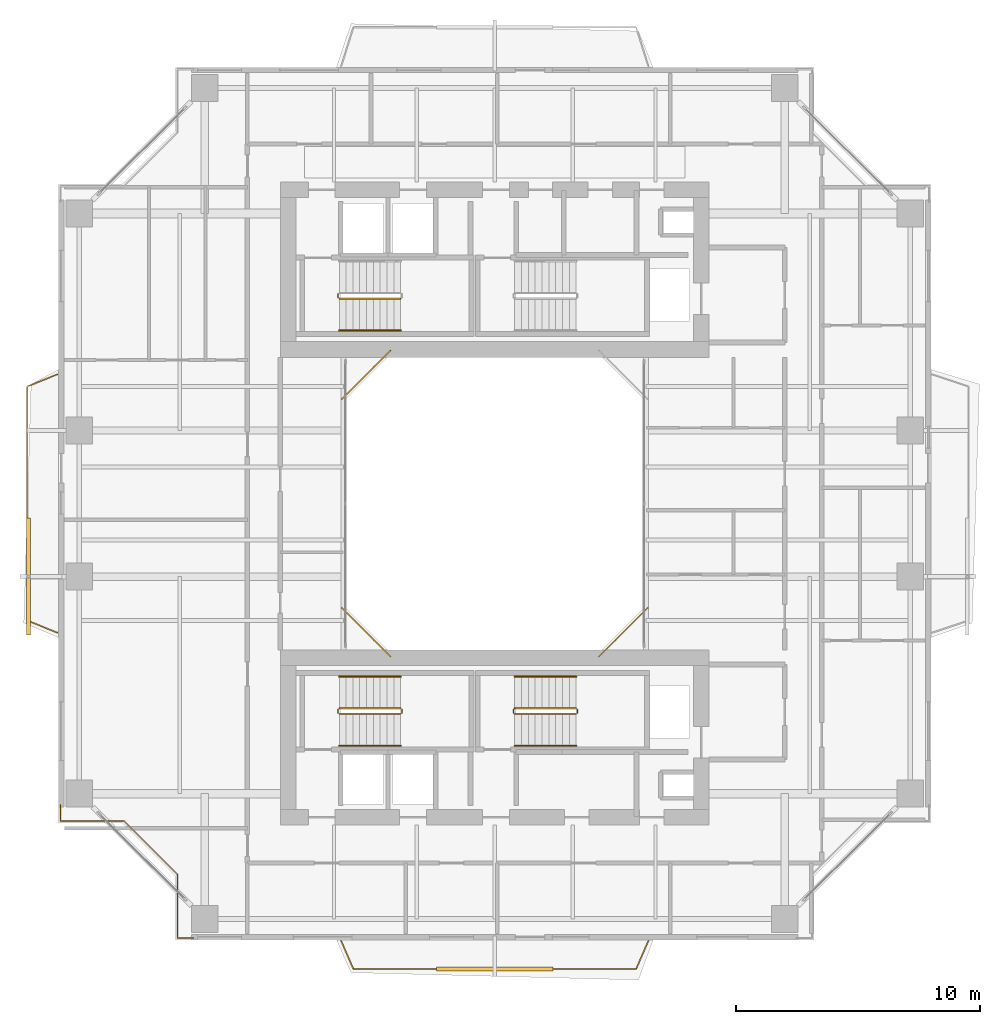
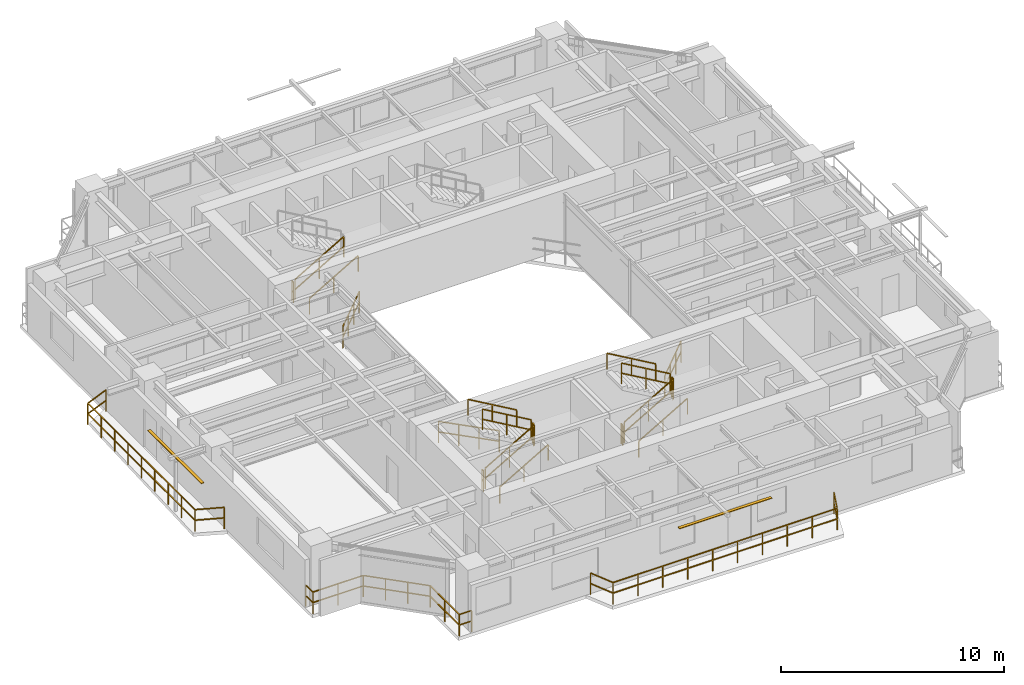
# One storey, part 15 of 17: 21 railings, 2 shading devices.
"""IFC4 building model written with IfcOpenShell, lengths in metres."""

from ifc_helpers import new_model, si_unit, direction, frame, origin, origin_2d, place, context, subcontext, project, spatial, rectangle, extrude, source, transform, mapped, material, material_profile, profile_set, type_object, element, save


model = new_model("IFC4")

# Units and contexts
model_context = context("Model", 3, precision=1e-05, world=origin(), true_north=direction((0.0, 1.0)))
body_context = subcontext(model_context, "Body", "Model", "MODEL_VIEW")
ifc_project = project(units=[si_unit("LENGTHUNIT", "METRE"), si_unit("AREAUNIT", "SQUARE_METRE"), si_unit("VOLUMEUNIT", "CUBIC_METRE"), si_unit("PLANEANGLEUNIT", "RADIAN"), si_unit("MASSUNIT", "GRAM", prefix="KILO"), si_unit("THERMODYNAMICTEMPERATUREUNIT", "KELVIN"), si_unit("POWERUNIT", "WATT")], contexts=[model_context])

# Site, building, storey
site_placement = place(None, origin())
site = spatial("IfcSite", under=ifc_project, at=site_placement, CompositionType="ELEMENT")
building_placement = place(site_placement, origin())
building = spatial("IfcBuilding", under=site, at=building_placement, Name="Qiaomeng Ring Towers", CompositionType="ELEMENT")
storey_placement = place(building_placement, frame((0.0, 0.0, 116.5)))
storey = spatial("IfcBuildingStorey", under=building, at=storey_placement, Name="L33", CompositionType="ELEMENT", Elevation=116.5)

# Railings
ifc_material_1 = material(Name="Low-E pale-green laminated safety glass", Category="glass")
railing_type_1 = type_object("IfcRailingType", Name="ARC-RL-BAL1", PredefinedType="BALUSTRADE", material=ifc_material_1)
railing_1_placement = place(storey_placement, frame((23.280029296875, 16.719970703125, 0.0)))
element("IfcRailing", 1, at=railing_1_placement, inside=storey, type_object=railing_type_1, Name="L33 Balustrade ARC-BAL-WELL1-L33-1", PredefinedType="BALUSTRADE", context=body_context, shape_type="SweptSolid", body=[
    extrude(rectangle(XDim=0.048095703125, YDim=0.048095703125, at=origin_2d()), frame((0.0, 0.0, 1.17578125), z_axis=(0.707106781187, 0.707106781187, 0.0), x_axis=(-0.707106781187, 0.707106781187, 0.0)), (0.0, 0.0, 1.0), 2.828369140625),
    extrude(rectangle(XDim=0.048095703125, YDim=0.048095703125, at=origin_2d()), frame((0.0, 0.0, 0.60009765625), z_axis=(0.707106781187, 0.707106781187, 0.0), x_axis=(-0.707106781187, 0.707106781187, 0.0)), (0.0, 0.0, 1.0), 2.828369140625),
    extrude(rectangle(XDim=0.0419921875, YDim=0.0419921875, at=origin_2d()), origin(), (0.0, 0.0, 1.0), 1.15185546875),
    extrude(rectangle(XDim=0.0419921875, YDim=0.0419921875, at=origin_2d()), frame((0.666748046875, 0.666748046875, 0.0)), (0.0, 0.0, 1.0), 1.15185546875),
    extrude(rectangle(XDim=0.0419921875, YDim=0.0419921875, at=origin_2d()), frame((1.333251953125, 1.333251953125, 0.0)), (0.0, 0.0, 1.0), 1.15185546875),
    extrude(rectangle(XDim=0.0419921875, YDim=0.0419921875, at=origin_2d()), frame((2.0, 2.0, 0.0)), (0.0, 0.0, 1.0), 1.15185546875),
])
railing_2_placement = place(storey_placement, frame((14.719970703125, 29.280029296875, 0.0)))
element("IfcRailing", 2, at=railing_2_placement, inside=storey, type_object=railing_type_1, Name="L33 Balustrade ARC-BAL-WELL1-L33-3", PredefinedType="BALUSTRADE", context=body_context, shape_type="SweptSolid", body=[
    extrude(rectangle(XDim=0.048095703125, YDim=0.048095703125, at=origin_2d()), frame((0.0, 0.0, 1.17578125), z_axis=(-0.707106781187, -0.707106781187, 0.0), x_axis=(0.707106781187, -0.707106781187, 0.0)), (0.0, 0.0, 1.0), 2.828369140625),
    extrude(rectangle(XDim=0.048095703125, YDim=0.048095703125, at=origin_2d()), frame((0.0, 0.0, 0.60009765625), z_axis=(-0.707106781187, -0.707106781187, 0.0), x_axis=(0.707106781187, -0.707106781187, 0.0)), (0.0, 0.0, 1.0), 2.828369140625),
    extrude(rectangle(XDim=0.0419921875, YDim=0.0419921875, at=origin_2d()), origin(), (0.0, 0.0, 1.0), 1.15185546875),
    extrude(rectangle(XDim=0.0419921875, YDim=0.0419921875, at=origin_2d()), frame((-0.666748046875, -0.666748046875, 0.0)), (0.0, 0.0, 1.0), 1.15185546875),
    extrude(rectangle(XDim=0.0419921875, YDim=0.0419921875, at=origin_2d()), frame((-1.333251953125, -1.333251953125, 0.0)), (0.0, 0.0, 1.0), 1.15185546875),
    extrude(rectangle(XDim=0.0419921875, YDim=0.0419921875, at=origin_2d()), frame((-2.0, -2.0, 0.0)), (0.0, 0.0, 1.0), 1.15185546875),
])
railing_3_placement = place(storey_placement, frame((12.719970703125, 18.719970703125, 0.0)))
element("IfcRailing", 3, at=railing_3_placement, inside=storey, type_object=railing_type_1, Name="L33 Balustrade ARC-BAL-WELL1-L33-4", PredefinedType="BALUSTRADE", context=body_context, shape_type="SweptSolid", body=[
    extrude(rectangle(XDim=0.048095703125, YDim=0.048095703125, at=origin_2d()), frame((0.0, 0.0, 1.17578125), z_axis=(0.707106781187, -0.707106781187, 0.0), x_axis=(0.707106781187, 0.707106781187, 0.0)), (0.0, 0.0, 1.0), 2.828369140625),
    extrude(rectangle(XDim=0.048095703125, YDim=0.048095703125, at=origin_2d()), frame((0.0, 0.0, 0.60009765625), z_axis=(0.707106781187, -0.707106781187, 0.0), x_axis=(0.707106781187, 0.707106781187, 0.0)), (0.0, 0.0, 1.0), 2.828369140625),
    extrude(rectangle(XDim=0.0419921875, YDim=0.0419921875, at=origin_2d()), origin(), (0.0, 0.0, 1.0), 1.15185546875),
    extrude(rectangle(XDim=0.0419921875, YDim=0.0419921875, at=origin_2d()), frame((0.666748046875, -0.666748046875, 0.0)), (0.0, 0.0, 1.0), 1.15185546875),
    extrude(rectangle(XDim=0.0419921875, YDim=0.0419921875, at=origin_2d()), frame((1.333251953125, -1.333251953125, 0.0)), (0.0, 0.0, 1.0), 1.15185546875),
    extrude(rectangle(XDim=0.0419921875, YDim=0.0419921875, at=origin_2d()), frame((2.0, -2.0, 0.0)), (0.0, 0.0, 1.0), 1.15185546875),
])
railing_4_placement = place(storey_placement, frame((1.179931640625, 10.6298828125, 0.0)))
element("IfcRailing", 4, at=railing_4_placement, inside=storey, type_object=railing_type_1, Name="L33 Balustrade ARC-BAL-NOTCH1-L33-SW", PredefinedType="BALUSTRADE", context=body_context, shape_type="SweptSolid", body=[
    extrude(rectangle(XDim=0.048095703125, YDim=0.048095703125, at=origin_2d()), frame((0.0, 0.0, 1.17578125), z_axis=(0.0, -1.0, 0.0), x_axis=(1.0, 0.0, 0.0)), (0.0, 0.0, 1.0), 0.64990234375),
    extrude(rectangle(XDim=0.048095703125, YDim=0.048095703125, at=origin_2d()), frame((0.0, 0.0, 0.60009765625), z_axis=(0.0, -1.0, 0.0), x_axis=(1.0, 0.0, 0.0)), (0.0, 0.0, 1.0), 0.64990234375),
    extrude(rectangle(XDim=0.048095703125, YDim=0.048095703125, at=origin_2d()), frame((0.0, -0.64990234375, 1.17578125), z_axis=(1.0, 0.0, 0.0), x_axis=(0.0, 1.0, 0.0)), (0.0, 0.0, 1.0), 2.60009765625),
    extrude(rectangle(XDim=0.048095703125, YDim=0.048095703125, at=origin_2d()), frame((0.0, -0.64990234375, 0.60009765625), z_axis=(1.0, 0.0, 0.0), x_axis=(0.0, 1.0, 0.0)), (0.0, 0.0, 1.0), 2.60009765625),
    extrude(rectangle(XDim=0.048095703125, YDim=0.048095703125, at=origin_2d()), frame((2.60009765625, -0.64990234375, 1.17578125), z_axis=(0.707106781187, -0.707106781187, 0.0), x_axis=(0.707106781187, 0.707106781187, 0.0)), (0.0, 0.0, 1.0), 3.111083984375),
    extrude(rectangle(XDim=0.048095703125, YDim=0.048095703125, at=origin_2d()), frame((2.60009765625, -0.64990234375, 0.60009765625), z_axis=(0.707106781187, -0.707106781187, 0.0), x_axis=(0.707106781187, 0.707106781187, 0.0)), (0.0, 0.0, 1.0), 3.111083984375),
    extrude(rectangle(XDim=0.048095703125, YDim=0.048095703125, at=origin_2d()), frame((4.800048828125, -2.849853515625, 1.17578125), z_axis=(0.0, -1.0, 0.0), x_axis=(1.0, 0.0, 0.0)), (0.0, 0.0, 1.0), 2.60009765625),
    extrude(rectangle(XDim=0.048095703125, YDim=0.048095703125, at=origin_2d()), frame((4.800048828125, -2.849853515625, 0.60009765625), z_axis=(0.0, -1.0, 0.0), x_axis=(1.0, 0.0, 0.0)), (0.0, 0.0, 1.0), 2.60009765625),
    extrude(rectangle(XDim=0.048095703125, YDim=0.048095703125, at=origin_2d()), frame((4.800048828125, -5.449951171875, 1.17578125), z_axis=(1.0, 0.0, 0.0), x_axis=(0.0, 1.0, 0.0)), (0.0, 0.0, 1.0), 0.64990234375),
    extrude(rectangle(XDim=0.048095703125, YDim=0.048095703125, at=origin_2d()), frame((4.800048828125, -5.449951171875, 0.60009765625), z_axis=(1.0, 0.0, 0.0), x_axis=(0.0, 1.0, 0.0)), (0.0, 0.0, 1.0), 0.64990234375),
    extrude(rectangle(XDim=0.0419921875, YDim=0.0419921875, at=origin_2d()), origin(), (0.0, 0.0, 1.0), 1.15185546875),
    extrude(rectangle(XDim=0.0419921875, YDim=0.0419921875, at=origin_2d()), frame((0.0, -0.64990234375, 0.0)), (0.0, 0.0, 1.0), 1.15185546875),
    extrude(rectangle(XDim=0.0419921875, YDim=0.0419921875, at=origin_2d()), frame((1.300048828125, -0.64990234375, 0.0)), (0.0, 0.0, 1.0), 1.15185546875),
    extrude(rectangle(XDim=0.0419921875, YDim=0.0419921875, at=origin_2d()), frame((2.60009765625, -0.64990234375, 0.0)), (0.0, 0.0, 1.0), 1.15185546875),
    extrude(rectangle(XDim=0.0419921875, YDim=0.0419921875, at=origin_2d()), frame((3.33349609375, -1.38330078125, 0.0)), (0.0, 0.0, 1.0), 1.15185546875),
    extrude(rectangle(XDim=0.0419921875, YDim=0.0419921875, at=origin_2d()), frame((4.066650390625, -2.116455078125, 0.0)), (0.0, 0.0, 1.0), 1.15185546875),
    extrude(rectangle(XDim=0.0419921875, YDim=0.0419921875, at=origin_2d()), frame((4.800048828125, -2.849853515625, 0.0)), (0.0, 0.0, 1.0), 1.15185546875),
    extrude(rectangle(XDim=0.0419921875, YDim=0.0419921875, at=origin_2d()), frame((4.800048828125, -4.14990234375, 0.0)), (0.0, 0.0, 1.0), 1.15185546875),
    extrude(rectangle(XDim=0.0419921875, YDim=0.0419921875, at=origin_2d()), frame((4.800048828125, -5.449951171875, 0.0)), (0.0, 0.0, 1.0), 1.15185546875),
    extrude(rectangle(XDim=0.0419921875, YDim=0.0419921875, at=origin_2d()), frame((5.449951171875, -5.449951171875, 0.0)), (0.0, 0.0, 1.0), 1.15185546875),
])
railing_5_placement = place(storey_placement, frame((12.699951171875, 5.050048828125, 0.0)))
element("IfcRailing", 5, at=railing_5_placement, inside=storey, type_object=railing_type_1, Name="L33 Balustrade ARC-BAL-L33-T1-S", PredefinedType="BALUSTRADE", context=body_context, shape_type="SweptSolid", body=[
    extrude(rectangle(XDim=0.048095703125, YDim=0.048095703125, at=origin_2d()), frame((0.0, 0.0, 1.17578125), z_axis=(0.39868340127, -0.917088624699, 0.0), x_axis=(0.917088624699, 0.39868340127, 0.0)), (0.0, 0.0, 1.0), 1.254150390625),
    extrude(rectangle(XDim=0.048095703125, YDim=0.048095703125, at=origin_2d()), frame((0.0, 0.0, 0.60009765625), z_axis=(0.39868340127, -0.917088624699, 0.0), x_axis=(0.917088624699, 0.39868340127, 0.0)), (0.0, 0.0, 1.0), 1.254150390625),
    extrude(rectangle(XDim=0.048095703125, YDim=0.048095703125, at=origin_2d()), frame((0.5, -1.150146484375, 1.17578125), z_axis=(1.0, 0.0, 0.0), x_axis=(0.0, 1.0, 0.0)), (0.0, 0.0, 1.0), 11.60009765625),
    extrude(rectangle(XDim=0.048095703125, YDim=0.048095703125, at=origin_2d()), frame((0.5, -1.150146484375, 0.60009765625), z_axis=(1.0, 0.0, 0.0), x_axis=(0.0, 1.0, 0.0)), (0.0, 0.0, 1.0), 11.60009765625),
    extrude(rectangle(XDim=0.048095703125, YDim=0.048095703125, at=origin_2d()), frame((12.10009765625, -1.150146484375, 1.17578125), z_axis=(0.39868340127, 0.917088624699, 0.0), x_axis=(-0.917088624699, 0.39868340127, 0.0)), (0.0, 0.0, 1.0), 1.254150390625),
    extrude(rectangle(XDim=0.048095703125, YDim=0.048095703125, at=origin_2d()), frame((12.10009765625, -1.150146484375, 0.60009765625), z_axis=(0.39868340127, 0.917088624699, 0.0), x_axis=(-0.917088624699, 0.39868340127, 0.0)), (0.0, 0.0, 1.0), 1.254150390625),
    extrude(rectangle(XDim=0.0419921875, YDim=0.0419921875, at=origin_2d()), origin(), (0.0, 0.0, 1.0), 1.15185546875),
    extrude(rectangle(XDim=0.0419921875, YDim=0.0419921875, at=origin_2d()), frame((0.5, -1.150146484375, 0.0)), (0.0, 0.0, 1.0), 1.15185546875),
    extrude(rectangle(XDim=0.0419921875, YDim=0.0419921875, at=origin_2d()), frame((1.788818359375, -1.150146484375, 0.0)), (0.0, 0.0, 1.0), 1.15185546875),
    extrude(rectangle(XDim=0.0419921875, YDim=0.0419921875, at=origin_2d()), frame((3.077880859375, -1.150146484375, 0.0)), (0.0, 0.0, 1.0), 1.15185546875),
    extrude(rectangle(XDim=0.0419921875, YDim=0.0419921875, at=origin_2d()), frame((4.36669921875, -1.150146484375, 0.0)), (0.0, 0.0, 1.0), 1.15185546875),
    extrude(rectangle(XDim=0.0419921875, YDim=0.0419921875, at=origin_2d()), frame((5.655517578125, -1.150146484375, 0.0)), (0.0, 0.0, 1.0), 1.15185546875),
    extrude(rectangle(XDim=0.0419921875, YDim=0.0419921875, at=origin_2d()), frame((6.944580078125, -1.150146484375, 0.0)), (0.0, 0.0, 1.0), 1.15185546875),
    extrude(rectangle(XDim=0.0419921875, YDim=0.0419921875, at=origin_2d()), frame((8.2333984375, -1.150146484375, 0.0)), (0.0, 0.0, 1.0), 1.15185546875),
    extrude(rectangle(XDim=0.0419921875, YDim=0.0419921875, at=origin_2d()), frame((9.522216796875, -1.150146484375, 0.0)), (0.0, 0.0, 1.0), 1.15185546875),
    extrude(rectangle(XDim=0.0419921875, YDim=0.0419921875, at=origin_2d()), frame((10.811279296875, -1.150146484375, 0.0)), (0.0, 0.0, 1.0), 1.15185546875),
    extrude(rectangle(XDim=0.0419921875, YDim=0.0419921875, at=origin_2d()), frame((12.10009765625, -1.150146484375, 0.0)), (0.0, 0.0, 1.0), 1.15185546875),
    extrude(rectangle(XDim=0.0419921875, YDim=0.0419921875, at=origin_2d()), frame((12.60009765625, 0.0, 0.0)), (0.0, 0.0, 1.0), 1.15185546875),
])
railing_6_placement = place(storey_placement, frame((1.050048828125, 17.699951171875, 0.0)))
element("IfcRailing", 6, at=railing_6_placement, inside=storey, type_object=railing_type_1, Name="L33 Balustrade ARC-BAL-L33-T1-W", PredefinedType="BALUSTRADE", context=body_context, shape_type="SweptSolid", body=[
    extrude(rectangle(XDim=0.048095703125, YDim=0.048095703125, at=origin_2d()), frame((0.0, 0.0, 1.17578125), z_axis=(-0.926382398109, 0.376584190418, 0.0), x_axis=(-0.376584190418, -0.926382398109, 0.0)), (0.0, 0.0, 1.0), 1.32763671875),
    extrude(rectangle(XDim=0.048095703125, YDim=0.048095703125, at=origin_2d()), frame((0.0, 0.0, 0.60009765625), z_axis=(-0.926382398109, 0.376584190418, 0.0), x_axis=(-0.376584190418, -0.926382398109, 0.0)), (0.0, 0.0, 1.0), 1.32763671875),
    extrude(rectangle(XDim=0.048095703125, YDim=0.048095703125, at=origin_2d()), frame((-1.22998046875, 0.5, 1.17578125), z_axis=(0.0, 1.0, 0.0), x_axis=(-1.0, 0.0, 0.0)), (0.0, 0.0, 1.0), 9.60009765625),
    extrude(rectangle(XDim=0.048095703125, YDim=0.048095703125, at=origin_2d()), frame((-1.22998046875, 0.5, 0.60009765625), z_axis=(0.0, 1.0, 0.0), x_axis=(-1.0, 0.0, 0.0)), (0.0, 0.0, 1.0), 9.60009765625),
    extrude(rectangle(XDim=0.048095703125, YDim=0.048095703125, at=origin_2d()), frame((-1.22998046875, 10.10009765625, 1.17578125), z_axis=(0.926382398109, 0.376584190418, 0.0), x_axis=(-0.376584190418, 0.926382398109, 0.0)), (0.0, 0.0, 1.0), 1.32763671875),
    extrude(rectangle(XDim=0.048095703125, YDim=0.048095703125, at=origin_2d()), frame((-1.22998046875, 10.10009765625, 0.60009765625), z_axis=(0.926382398109, 0.376584190418, 0.0), x_axis=(-0.376584190418, 0.926382398109, 0.0)), (0.0, 0.0, 1.0), 1.32763671875),
    extrude(rectangle(XDim=0.0419921875, YDim=0.0419921875, at=origin_2d()), origin(), (0.0, 0.0, 1.0), 1.15185546875),
    extrude(rectangle(XDim=0.0419921875, YDim=0.0419921875, at=origin_2d()), frame((-1.22998046875, 0.5, 0.0)), (0.0, 0.0, 1.0), 1.15185546875),
    extrude(rectangle(XDim=0.0419921875, YDim=0.0419921875, at=origin_2d()), frame((-1.22998046875, 1.699951171875, 0.0)), (0.0, 0.0, 1.0), 1.15185546875),
    extrude(rectangle(XDim=0.0419921875, YDim=0.0419921875, at=origin_2d()), frame((-1.22998046875, 2.89990234375, 0.0)), (0.0, 0.0, 1.0), 1.15185546875),
    extrude(rectangle(XDim=0.0419921875, YDim=0.0419921875, at=origin_2d()), frame((-1.22998046875, 4.10009765625, 0.0)), (0.0, 0.0, 1.0), 1.15185546875),
    extrude(rectangle(XDim=0.0419921875, YDim=0.0419921875, at=origin_2d()), frame((-1.22998046875, 5.300048828125, 0.0)), (0.0, 0.0, 1.0), 1.15185546875),
    extrude(rectangle(XDim=0.0419921875, YDim=0.0419921875, at=origin_2d()), frame((-1.22998046875, 6.5, 0.0)), (0.0, 0.0, 1.0), 1.15185546875),
    extrude(rectangle(XDim=0.0419921875, YDim=0.0419921875, at=origin_2d()), frame((-1.22998046875, 7.7001953125, 0.0)), (0.0, 0.0, 1.0), 1.15185546875),
    extrude(rectangle(XDim=0.0419921875, YDim=0.0419921875, at=origin_2d()), frame((-1.22998046875, 8.900146484375, 0.0)), (0.0, 0.0, 1.0), 1.15185546875),
    extrude(rectangle(XDim=0.0419921875, YDim=0.0419921875, at=origin_2d()), frame((-1.22998046875, 10.10009765625, 0.0)), (0.0, 0.0, 1.0), 1.15185546875),
    extrude(rectangle(XDim=0.0419921875, YDim=0.0419921875, at=origin_2d()), frame((0.0, 10.60009765625, 0.0)), (0.0, 0.0, 1.0), 1.15185546875),
])
ifc_material_2 = material(Name="Galvanised steel", Category="steel")
railing_type_2 = type_object("IfcRailingType", Name="ARC-RL-GUARD", PredefinedType="GUARDRAIL", material=ifc_material_2)
railing_7_placement = place(storey_placement, frame((12.6201171875, 31.39990234375, 0.16259765625)))
element("IfcRailing", 7, at=railing_7_placement, inside=storey, type_object=railing_type_2, Name="L33 ST1 stair guard 1", PredefinedType="GUARDRAIL", context=body_context, shape_type="SweptSolid", body=[
    extrude(rectangle(XDim=0.048095703125, YDim=0.048095703125, at=origin_2d()), frame((0.0, 0.0, 1.1259765625), z_axis=(0.864892226395, 0.0, 0.501957604506), x_axis=(0.0, 1.0, 0.0)), (0.0, 0.0, 1.0), 2.913330078125),
    extrude(rectangle(XDim=0.048095703125, YDim=0.048095703125, at=origin_2d()), frame((0.0, 0.0, 0.574951171875), z_axis=(0.864892226395, 0.0, 0.501957604506), x_axis=(0.0, 1.0, 0.0)), (0.0, 0.0, 1.0), 2.913330078125),
    extrude(rectangle(XDim=0.0419921875, YDim=0.0419921875, at=origin_2d()), origin(), (0.0, 0.0, 1.0), 1.101806640625),
    extrude(rectangle(XDim=0.0419921875, YDim=0.0419921875, at=origin_2d()), frame((1.259765625, 0.0, 0.731201171875)), (0.0, 0.0, 1.0), 1.101806640625),
    extrude(rectangle(XDim=0.0419921875, YDim=0.0419921875, at=origin_2d()), frame((2.519775390625, 0.0, 1.46240234375)), (0.0, 0.0, 1.0), 1.101806640625),
])
railing_8_placement = place(storey_placement, frame((12.570068359375, 31.449951171875, 0.0)))
element("IfcRailing", 8, at=railing_8_placement, inside=storey, type_object=railing_type_2, Name="L33 ST1 stair guard 4", PredefinedType="GUARDRAIL", context=body_context, shape_type="SweptSolid", body=[
    extrude(rectangle(XDim=0.048095703125, YDim=0.048095703125, at=origin_2d()), frame((0.0, 0.0, 1.1259765625), z_axis=(0.0, 1.0, 0.0), x_axis=(-1.0, 0.0, 0.0)), (0.0, 0.0, 1.0), 0.14013671875),
    extrude(rectangle(XDim=0.048095703125, YDim=0.048095703125, at=origin_2d()), frame((0.0, 0.0, 0.574951171875), z_axis=(0.0, 1.0, 0.0), x_axis=(-1.0, 0.0, 0.0)), (0.0, 0.0, 1.0), 0.14013671875),
    extrude(rectangle(XDim=0.0419921875, YDim=0.0419921875, at=origin_2d()), origin(), (0.0, 0.0, 1.0), 1.101806640625),
    extrude(rectangle(XDim=0.0419921875, YDim=0.0419921875, at=origin_2d()), frame((0.0, 0.14013671875, 0.0)), (0.0, 0.0, 1.0), 1.101806640625),
])
railing_9_placement = place(storey_placement, frame((12.6201171875, 14.360107421875, 0.16259765625)))
element("IfcRailing", 9, at=railing_9_placement, inside=storey, type_object=railing_type_2, Name="L33 ST3 stair guard 1", PredefinedType="GUARDRAIL", context=body_context, shape_type="SweptSolid", body=[
    extrude(rectangle(XDim=0.048095703125, YDim=0.048095703125, at=origin_2d()), frame((0.0, 0.0, 1.1259765625), z_axis=(0.864892226395, 0.0, 0.501957604506), x_axis=(0.0, 1.0, 0.0)), (0.0, 0.0, 1.0), 2.913330078125),
    extrude(rectangle(XDim=0.048095703125, YDim=0.048095703125, at=origin_2d()), frame((0.0, 0.0, 0.574951171875), z_axis=(0.864892226395, 0.0, 0.501957604506), x_axis=(0.0, 1.0, 0.0)), (0.0, 0.0, 1.0), 2.913330078125),
    extrude(rectangle(XDim=0.0419921875, YDim=0.0419921875, at=origin_2d()), origin(), (0.0, 0.0, 1.0), 1.101806640625),
    extrude(rectangle(XDim=0.0419921875, YDim=0.0419921875, at=origin_2d()), frame((1.259765625, 0.0, 0.731201171875)), (0.0, 0.0, 1.0), 1.101806640625),
    extrude(rectangle(XDim=0.0419921875, YDim=0.0419921875, at=origin_2d()), frame((2.519775390625, 0.0, 1.46240234375)), (0.0, 0.0, 1.0), 1.101806640625),
])
railing_10_placement = place(storey_placement, frame((15.18994140625, 14.409912109375, 1.625)))
element("IfcRailing", 10, at=railing_10_placement, inside=storey, type_object=railing_type_2, Name="L33 ST3 stair guard 2", PredefinedType="GUARDRAIL", context=body_context, shape_type="SweptSolid", body=[
    extrude(rectangle(XDim=0.048095703125, YDim=0.048095703125, at=origin_2d()), frame((0.0, 0.0, 1.1259765625), z_axis=(0.0, 1.0, 0.0), x_axis=(-1.0, 0.0, 0.0)), (0.0, 0.0, 1.0), 0.14013671875),
    extrude(rectangle(XDim=0.048095703125, YDim=0.048095703125, at=origin_2d()), frame((0.0, 0.0, 0.574951171875), z_axis=(0.0, 1.0, 0.0), x_axis=(-1.0, 0.0, 0.0)), (0.0, 0.0, 1.0), 0.14013671875),
    extrude(rectangle(XDim=0.0419921875, YDim=0.0419921875, at=origin_2d()), origin(), (0.0, 0.0, 1.0), 1.101806640625),
    extrude(rectangle(XDim=0.0419921875, YDim=0.0419921875, at=origin_2d()), frame((0.0, 0.14013671875, 0.0)), (0.0, 0.0, 1.0), 1.101806640625),
])
railing_11_placement = place(storey_placement, frame((15.139892578125, 14.60009765625, 1.78759765625)))
element("IfcRailing", 11, at=railing_11_placement, inside=storey, type_object=railing_type_2, Name="L33 ST3 stair guard 3", PredefinedType="GUARDRAIL", context=body_context, shape_type="SweptSolid", body=[
    extrude(rectangle(XDim=0.048095703125, YDim=0.048095703125, at=origin_2d()), frame((0.0, 0.0, 1.1259765625), z_axis=(-0.864892226395, 0.0, 0.501957604506), x_axis=(0.0, -1.0, 0.0)), (0.0, 0.0, 1.0), 2.913330078125),
    extrude(rectangle(XDim=0.048095703125, YDim=0.048095703125, at=origin_2d()), frame((0.0, 0.0, 0.574951171875), z_axis=(-0.864892226395, 0.0, 0.501957604506), x_axis=(0.0, -1.0, 0.0)), (0.0, 0.0, 1.0), 2.913330078125),
    extrude(rectangle(XDim=0.0419921875, YDim=0.0419921875, at=origin_2d()), origin(), (0.0, 0.0, 1.0), 1.101806640625),
    extrude(rectangle(XDim=0.0419921875, YDim=0.0419921875, at=origin_2d()), frame((-1.259765625, 0.0, 0.731201171875)), (0.0, 0.0, 1.0), 1.101806640625),
    extrude(rectangle(XDim=0.0419921875, YDim=0.0419921875, at=origin_2d()), frame((-2.519775390625, 0.0, 1.46240234375)), (0.0, 0.0, 1.0), 1.101806640625),
])
railing_12_placement = place(storey_placement, frame((12.570068359375, 14.409912109375, 0.0)))
element("IfcRailing", 12, at=railing_12_placement, inside=storey, type_object=railing_type_2, Name="L33 ST3 stair guard 4", PredefinedType="GUARDRAIL", context=body_context, shape_type="SweptSolid", body=[
    extrude(rectangle(XDim=0.048095703125, YDim=0.048095703125, at=origin_2d()), frame((0.0, 0.0, 1.1259765625), z_axis=(0.0, 1.0, 0.0), x_axis=(-1.0, 0.0, 0.0)), (0.0, 0.0, 1.0), 0.14013671875),
    extrude(rectangle(XDim=0.048095703125, YDim=0.048095703125, at=origin_2d()), frame((0.0, 0.0, 0.574951171875), z_axis=(0.0, 1.0, 0.0), x_axis=(-1.0, 0.0, 0.0)), (0.0, 0.0, 1.0), 0.14013671875),
    extrude(rectangle(XDim=0.0419921875, YDim=0.0419921875, at=origin_2d()), origin(), (0.0, 0.0, 1.0), 1.101806640625),
    extrude(rectangle(XDim=0.0419921875, YDim=0.0419921875, at=origin_2d()), frame((0.0, 0.14013671875, 0.0)), (0.0, 0.0, 1.0), 1.101806640625),
])
railing_13_placement = place(storey_placement, frame((19.820068359375, 14.360107421875, 0.16259765625)))
element("IfcRailing", 13, at=railing_13_placement, inside=storey, type_object=railing_type_2, Name="L33 ST4 stair guard 1", PredefinedType="GUARDRAIL", context=body_context, shape_type="SweptSolid", body=[
    extrude(rectangle(XDim=0.048095703125, YDim=0.048095703125, at=origin_2d()), frame((0.0, 0.0, 1.1259765625), z_axis=(0.864913338283, 0.0, 0.50192122615), x_axis=(0.0, 1.0, 0.0)), (0.0, 0.0, 1.0), 2.91357421875),
    extrude(rectangle(XDim=0.048095703125, YDim=0.048095703125, at=origin_2d()), frame((0.0, 0.0, 0.574951171875), z_axis=(0.864913338283, 0.0, 0.50192122615), x_axis=(0.0, 1.0, 0.0)), (0.0, 0.0, 1.0), 2.91357421875),
    extrude(rectangle(XDim=0.0419921875, YDim=0.0419921875, at=origin_2d()), origin(), (0.0, 0.0, 1.0), 1.101806640625),
    extrude(rectangle(XDim=0.0419921875, YDim=0.0419921875, at=origin_2d()), frame((1.260009765625, 0.0, 0.731201171875)), (0.0, 0.0, 1.0), 1.101806640625),
    extrude(rectangle(XDim=0.0419921875, YDim=0.0419921875, at=origin_2d()), frame((2.52001953125, 0.0, 1.46240234375)), (0.0, 0.0, 1.0), 1.101806640625),
])
railing_14_placement = place(storey_placement, frame((22.389892578125, 14.409912109375, 1.625)))
element("IfcRailing", 14, at=railing_14_placement, inside=storey, type_object=railing_type_2, Name="L33 ST4 stair guard 2", PredefinedType="GUARDRAIL", context=body_context, shape_type="SweptSolid", body=[
    extrude(rectangle(XDim=0.048095703125, YDim=0.048095703125, at=origin_2d()), frame((0.0, 0.0, 1.1259765625), z_axis=(0.0, 1.0, 0.0), x_axis=(-1.0, 0.0, 0.0)), (0.0, 0.0, 1.0), 0.14013671875),
    extrude(rectangle(XDim=0.048095703125, YDim=0.048095703125, at=origin_2d()), frame((0.0, 0.0, 0.574951171875), z_axis=(0.0, 1.0, 0.0), x_axis=(-1.0, 0.0, 0.0)), (0.0, 0.0, 1.0), 0.14013671875),
    extrude(rectangle(XDim=0.0419921875, YDim=0.0419921875, at=origin_2d()), origin(), (0.0, 0.0, 1.0), 1.101806640625),
    extrude(rectangle(XDim=0.0419921875, YDim=0.0419921875, at=origin_2d()), frame((0.0, 0.14013671875, 0.0)), (0.0, 0.0, 1.0), 1.101806640625),
])
railing_15_placement = place(storey_placement, frame((22.340087890625, 14.60009765625, 1.78759765625)))
element("IfcRailing", 15, at=railing_15_placement, inside=storey, type_object=railing_type_2, Name="L33 ST4 stair guard 3", PredefinedType="GUARDRAIL", context=body_context, shape_type="SweptSolid", body=[
    extrude(rectangle(XDim=0.048095703125, YDim=0.048095703125, at=origin_2d()), frame((0.0, 0.0, 1.1259765625), z_axis=(-0.864913338283, 0.0, 0.50192122615), x_axis=(0.0, -1.0, 0.0)), (0.0, 0.0, 1.0), 2.91357421875),
    extrude(rectangle(XDim=0.048095703125, YDim=0.048095703125, at=origin_2d()), frame((0.0, 0.0, 0.574951171875), z_axis=(-0.864913338283, 0.0, 0.50192122615), x_axis=(0.0, -1.0, 0.0)), (0.0, 0.0, 1.0), 2.91357421875),
    extrude(rectangle(XDim=0.0419921875, YDim=0.0419921875, at=origin_2d()), origin(), (0.0, 0.0, 1.0), 1.101806640625),
    extrude(rectangle(XDim=0.0419921875, YDim=0.0419921875, at=origin_2d()), frame((-1.260009765625, 0.0, 0.731201171875)), (0.0, 0.0, 1.0), 1.101806640625),
    extrude(rectangle(XDim=0.0419921875, YDim=0.0419921875, at=origin_2d()), frame((-2.52001953125, 0.0, 1.46240234375)), (0.0, 0.0, 1.0), 1.101806640625),
])
railing_16_placement = place(storey_placement, frame((19.77001953125, 14.409912109375, 0.0)))
element("IfcRailing", 16, at=railing_16_placement, inside=storey, type_object=railing_type_2, Name="L33 ST4 stair guard 4", PredefinedType="GUARDRAIL", context=body_context, shape_type="SweptSolid", body=[
    extrude(rectangle(XDim=0.048095703125, YDim=0.048095703125, at=origin_2d()), frame((0.0, 0.0, 1.1259765625), z_axis=(0.0, 1.0, 0.0), x_axis=(-1.0, 0.0, 0.0)), (0.0, 0.0, 1.0), 0.14013671875),
    extrude(rectangle(XDim=0.048095703125, YDim=0.048095703125, at=origin_2d()), frame((0.0, 0.0, 0.574951171875), z_axis=(0.0, 1.0, 0.0), x_axis=(-1.0, 0.0, 0.0)), (0.0, 0.0, 1.0), 0.14013671875),
    extrude(rectangle(XDim=0.0419921875, YDim=0.0419921875, at=origin_2d()), origin(), (0.0, 0.0, 1.0), 1.101806640625),
    extrude(rectangle(XDim=0.0419921875, YDim=0.0419921875, at=origin_2d()), frame((0.0, 0.14013671875, 0.0)), (0.0, 0.0, 1.0), 1.101806640625),
])
ifc_material_3 = material(Name="Stainless steel 316", Category="steel")
railing_type_3 = type_object("IfcRailingType", Name="ARC-RL-HAND", PredefinedType="HANDRAIL", material=ifc_material_3)
for number, where, name in (
    (17, (12.6201171875, 30.10009765625, 0.16259765625), "L33 ST1 stair handrail 1"),
    (18, (12.6201171875, 13.06005859375, 0.16259765625), "L33 ST3 stair handrail 1"),
):
    element("IfcRailing", number, at=place(storey_placement, frame(where)), inside=storey, type_object=railing_type_3, Name=name, PredefinedType="HANDRAIL", context=body_context, shape_type="SweptSolid", body=[
        extrude(rectangle(XDim=0.048095703125, YDim=0.048095703125, at=origin_2d()), frame((0.0, 0.0, 0.8759765625), z_axis=(0.864892226395, 0.0, 0.501957604506), x_axis=(0.0, 1.0, 0.0)), (0.0, 0.0, 1.0), 2.913330078125),
        extrude(rectangle(XDim=0.0419921875, YDim=0.0419921875, at=origin_2d()), origin(), (0.0, 0.0, 1.0), 0.851806640625),
        extrude(rectangle(XDim=0.0419921875, YDim=0.0419921875, at=origin_2d()), frame((1.259765625, 0.0, 0.731201171875)), (0.0, 0.0, 1.0), 0.851806640625),
        extrude(rectangle(XDim=0.0419921875, YDim=0.0419921875, at=origin_2d()), frame((2.519775390625, 0.0, 1.46240234375)), (0.0, 0.0, 1.0), 0.851806640625),
    ])
railing_17_placement = place(storey_placement, frame((15.139892578125, 15.89990234375, 1.78759765625)))
element("IfcRailing", 19, at=railing_17_placement, inside=storey, type_object=railing_type_3, Name="L33 ST3 stair handrail 2", PredefinedType="HANDRAIL", context=body_context, shape_type="SweptSolid", body=[
    extrude(rectangle(XDim=0.048095703125, YDim=0.048095703125, at=origin_2d()), frame((0.0, 0.0, 0.8759765625), z_axis=(-0.864892226395, 0.0, 0.501957604506), x_axis=(0.0, -1.0, 0.0)), (0.0, 0.0, 1.0), 2.913330078125),
    extrude(rectangle(XDim=0.0419921875, YDim=0.0419921875, at=origin_2d()), origin(), (0.0, 0.0, 1.0), 0.851806640625),
    extrude(rectangle(XDim=0.0419921875, YDim=0.0419921875, at=origin_2d()), frame((-1.259765625, 0.0, 0.731201171875)), (0.0, 0.0, 1.0), 0.851806640625),
    extrude(rectangle(XDim=0.0419921875, YDim=0.0419921875, at=origin_2d()), frame((-2.519775390625, 0.0, 1.46240234375)), (0.0, 0.0, 1.0), 0.851806640625),
])
railing_18_placement = place(storey_placement, frame((19.820068359375, 13.06005859375, 0.16259765625)))
element("IfcRailing", 20, at=railing_18_placement, inside=storey, type_object=railing_type_3, Name="L33 ST4 stair handrail 1", PredefinedType="HANDRAIL", context=body_context, shape_type="SweptSolid", body=[
    extrude(rectangle(XDim=0.048095703125, YDim=0.048095703125, at=origin_2d()), frame((0.0, 0.0, 0.8759765625), z_axis=(0.864913338283, 0.0, 0.50192122615), x_axis=(0.0, 1.0, 0.0)), (0.0, 0.0, 1.0), 2.91357421875),
    extrude(rectangle(XDim=0.0419921875, YDim=0.0419921875, at=origin_2d()), origin(), (0.0, 0.0, 1.0), 0.851806640625),
    extrude(rectangle(XDim=0.0419921875, YDim=0.0419921875, at=origin_2d()), frame((1.260009765625, 0.0, 0.731201171875)), (0.0, 0.0, 1.0), 0.851806640625),
    extrude(rectangle(XDim=0.0419921875, YDim=0.0419921875, at=origin_2d()), frame((2.52001953125, 0.0, 1.46240234375)), (0.0, 0.0, 1.0), 0.851806640625),
])
railing_19_placement = place(storey_placement, frame((22.340087890625, 15.89990234375, 1.78759765625)))
element("IfcRailing", 21, at=railing_19_placement, inside=storey, type_object=railing_type_3, Name="L33 ST4 stair handrail 2", PredefinedType="HANDRAIL", context=body_context, shape_type="SweptSolid", body=[
    extrude(rectangle(XDim=0.048095703125, YDim=0.048095703125, at=origin_2d()), frame((0.0, 0.0, 0.8759765625), z_axis=(-0.864913338283, 0.0, 0.50192122615), x_axis=(0.0, -1.0, 0.0)), (0.0, 0.0, 1.0), 2.91357421875),
    extrude(rectangle(XDim=0.0419921875, YDim=0.0419921875, at=origin_2d()), origin(), (0.0, 0.0, 1.0), 0.851806640625),
    extrude(rectangle(XDim=0.0419921875, YDim=0.0419921875, at=origin_2d()), frame((-1.260009765625, 0.0, 0.731201171875)), (0.0, 0.0, 1.0), 0.851806640625),
    extrude(rectangle(XDim=0.0419921875, YDim=0.0419921875, at=origin_2d()), frame((-2.52001953125, 0.0, 1.46240234375)), (0.0, 0.0, 1.0), 0.851806640625),
])

# Shading devices
ifc_material_4 = material(Name="Fluorocarbon dark-grey aluminium", Category="aluminium")
ifc_material_profile = material_profile(ifc_material_4, rectangle(XDim=0.14990234375, YDim=0.034912109375, at=origin_2d()), Name="LV BLADE 150x35")
ifc_profile_set = profile_set([ifc_material_profile], Name="Fluorocarbon dark-grey aluminium")
shading_device_type = type_object("IfcShadingDeviceType", Name="ARC-SHD-SUN", PredefinedType="AWNING", material=ifc_profile_set)
shared_shape = source(origin(), body_context, "Body", "SweptSolid", [
    extrude(rectangle(XDim=0.14990234375, YDim=0.034912109375, at=origin_2d()), origin(), (0.0, 0.0, 1.0), 4.7998046875),
])
for number, where, z_axis, x_axis, name in (
    (22, (16.60009765625, 3.89990234375, 2.969970703125), (1.0, 0.0, 0.0), (0.0, 1.0, 0.0), "L33 Ventilated Outer-Skin Sunshade S"),
    (23, (-0.1298828125, 17.60009765625, 2.969970703125), (0.0, 1.0, 0.0), (-1.0, 0.0, 0.0), "L33 Ventilated Outer-Skin Sunshade W"),
):
    element("IfcShadingDevice", number, at=place(storey_placement, frame(where, z_axis=z_axis, x_axis=x_axis)), inside=storey, type_object=shading_device_type, Name=name, PredefinedType="AWNING", context=body_context, shape_type="MappedRepresentation", body=[
        mapped(shared_shape, transform((0.0, 0.0, 0.0), x_axis=(1.0, 0.0, 0.0), y_axis=(0.0, 1.0, 0.0), z_axis=(0.0, 0.0, 1.0), scale=1.0)),
    ])

save(model, "model.ifc")
